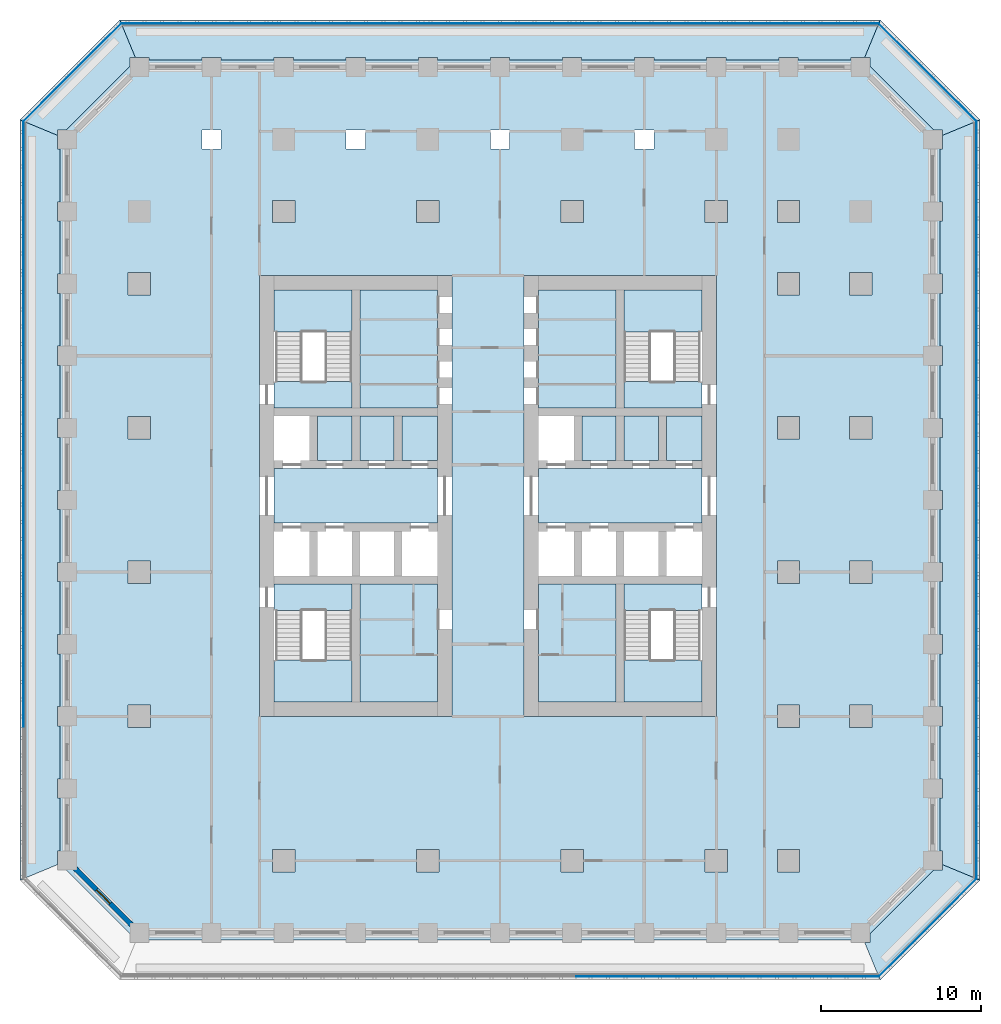
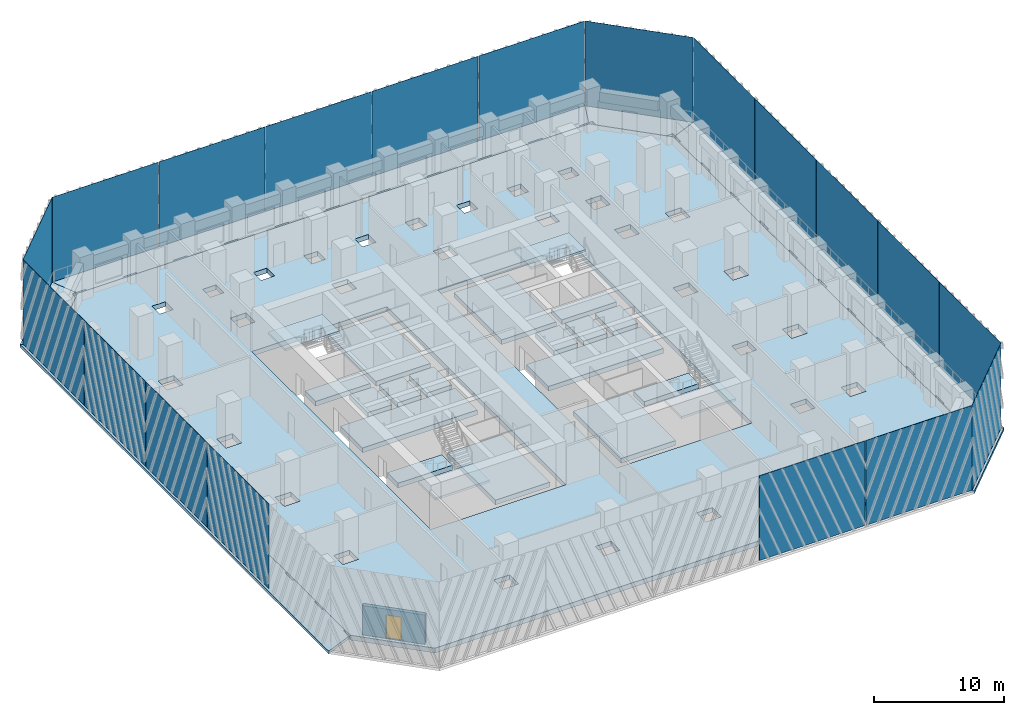
# One storey, part 2 of 19: 27 slabs, 19 plates, 1 door, 1 wall, 1 opening, 4 elements without a shape of their own.
"""IFC4 building model written with IfcOpenShell, lengths in metres."""

from ifc_helpers import new_model, si_unit, direction, frame, frame_2d, origin, origin_2d, place, context, subcontext, project, spatial, polyline, rectangle, outline, extrude, material, layer, layer_set, type_object, element, fill, aggregate, save


model = new_model("IFC4")

# Units and contexts
model_context = context("Model", 3, precision=1e-05, world=origin(), true_north=direction((0.0, 1.0)))
body_context = subcontext(model_context, "Body", "Model", "MODEL_VIEW")
ifc_project = project(units=[si_unit("LENGTHUNIT", "METRE"), si_unit("AREAUNIT", "SQUARE_METRE"), si_unit("VOLUMEUNIT", "CUBIC_METRE"), si_unit("PLANEANGLEUNIT", "RADIAN"), si_unit("MASSUNIT", "GRAM", prefix="KILO")], contexts=[model_context])

# Site, building, storey
site_placement = place(None, origin())
site = spatial("IfcSite", under=ifc_project, at=site_placement, CompositionType="ELEMENT")
building_placement = place(site_placement, origin())
building = spatial("IfcBuilding", under=site, at=building_placement, Name="Corbel Stack Research Tower", CompositionType="ELEMENT")
storey_placement = place(building_placement, frame((0.0, 0.0, 82.0)))
storey = spatial("IfcBuildingStorey", under=building, at=storey_placement, Name="L18", CompositionType="ELEMENT", Elevation=82.0)

# Plates
ifc_material_1 = material(Name="Fritted glass", Category="glass")
ifc_layer_1 = layer(ifc_material_1, 0.02490234375)
ifc_layer_set_1 = layer_set([ifc_layer_1], Name="Fritted glass")
plate_type = type_object("IfcPlateType", Name="Fritted glass panel 25", PredefinedType="SHEET", material=ifc_layer_set_1)
for number, where, z_axis, x_axis, name in (
    (1, (13.95556640625, -25.237548828125, 0.0), (0.0, 0.0, 1.0), (1.0, 0.0, 0.0), "Fritted glass L18 S4"),
    (2, (23.411376953125, -25.237548828125, 0.0), (0.0, 0.0, 1.0), (1.0, 0.0, 0.0), "Fritted glass L18 S5"),
):
    element("IfcPlate", number, at=place(storey_placement, frame(where, z_axis=z_axis, x_axis=x_axis)), inside=storey, type_object=plate_type, Name=name, PredefinedType="SHEET", context=body_context, shape_type="SweptSolid", body=[
        extrude(rectangle(XDim=9.3955078125, YDim=0.02490234375, at=origin_2d()), origin(), (0.0, 0.0, 1.0), 7.949951171875),
    ])
plate_1_placement = place(storey_placement, frame((31.185791015625, -22.185791015625, 0.0), z_axis=(0.0, 0.0, 1.0), x_axis=(0.707106781187, 0.707106781187, 0.0)))
element("IfcPlate", 3, at=plate_1_placement, inside=storey, type_object=plate_type, Name="Fritted glass L18 SE1", PredefinedType="SHEET", context=body_context, shape_type="SweptSolid", body=[
    extrude(rectangle(XDim=8.58203125, YDim=0.02490234375, at=origin_2d()), origin(), (0.0, 0.0, 1.0), 7.949951171875),
])
for number, where, z_axis, x_axis, name in (
    (4, (34.237548828125, -14.411376953125, 0.0), (0.0, 0.0, 1.0), (0.0, 1.0, 0.0), "Fritted glass L18 E1"),
    (5, (34.237548828125, -4.95556640625, 0.0), (0.0, 0.0, 1.0), (0.0, 1.0, 0.0), "Fritted glass L18 E2"),
    (6, (34.237548828125, 4.5, 0.0), (0.0, 0.0, 1.0), (0.0, 1.0, 0.0), "Fritted glass L18 E3"),
    (7, (34.237548828125, 13.95556640625, 0.0), (0.0, 0.0, 1.0), (0.0, 1.0, 0.0), "Fritted glass L18 E4"),
    (8, (34.237548828125, 23.411376953125, 0.0), (0.0, 0.0, 1.0), (0.0, 1.0, 0.0), "Fritted glass L18 E5"),
):
    element("IfcPlate", number, at=place(storey_placement, frame(where, z_axis=z_axis, x_axis=x_axis)), inside=storey, type_object=plate_type, Name=name, PredefinedType="SHEET", context=body_context, shape_type="SweptSolid", body=[
        extrude(rectangle(XDim=9.3955078125, YDim=0.02490234375, at=origin_2d()), origin(), (0.0, 0.0, 1.0), 7.949951171875),
    ])
plate_2_placement = place(storey_placement, frame((31.185791015625, 31.185791015625, 0.0), z_axis=(0.0, 0.0, 1.0), x_axis=(-0.707106781187, 0.707106781187, 0.0)))
element("IfcPlate", 9, at=plate_2_placement, inside=storey, type_object=plate_type, Name="Fritted glass L18 NE1", PredefinedType="SHEET", context=body_context, shape_type="SweptSolid", body=[
    extrude(rectangle(XDim=8.58203125, YDim=0.02490234375, at=origin_2d()), origin(), (0.0, 0.0, 1.0), 7.949951171875),
])
for number, where, z_axis, x_axis, name in (
    (10, (23.411376953125, 34.237548828125, 0.0), (0.0, 0.0, 1.0), (-1.0, 0.0, 0.0), "Fritted glass L18 N1"),
    (11, (13.95556640625, 34.237548828125, 0.0), (0.0, 0.0, 1.0), (-1.0, 0.0, 0.0), "Fritted glass L18 N2"),
    (12, (4.5, 34.237548828125, 0.0), (0.0, 0.0, 1.0), (-1.0, 0.0, 0.0), "Fritted glass L18 N3"),
    (13, (-4.95556640625, 34.237548828125, 0.0), (0.0, 0.0, 1.0), (-1.0, 0.0, 0.0), "Fritted glass L18 N4"),
    (14, (-14.411376953125, 34.237548828125, 0.0), (0.0, 0.0, 1.0), (-1.0, 0.0, 0.0), "Fritted glass L18 N5"),
):
    element("IfcPlate", number, at=place(storey_placement, frame(where, z_axis=z_axis, x_axis=x_axis)), inside=storey, type_object=plate_type, Name=name, PredefinedType="SHEET", context=body_context, shape_type="SweptSolid", body=[
        extrude(rectangle(XDim=9.3955078125, YDim=0.02490234375, at=origin_2d()), origin(), (0.0, 0.0, 1.0), 7.949951171875),
    ])
plate_3_placement = place(storey_placement, frame((-22.185791015625, 31.185791015625, 0.0), z_axis=(0.0, 0.0, 1.0), x_axis=(-0.707106781187, -0.707106781187, 0.0)))
element("IfcPlate", 15, at=plate_3_placement, inside=storey, type_object=plate_type, Name="Fritted glass L18 NW1", PredefinedType="SHEET", context=body_context, shape_type="SweptSolid", body=[
    extrude(rectangle(XDim=8.58203125, YDim=0.02490234375, at=origin_2d()), origin(), (0.0, 0.0, 1.0), 7.949951171875),
])
for number, where, z_axis, x_axis, name in (
    (16, (-25.237548828125, 23.411376953125, 0.0), (0.0, 0.0, 1.0), (0.0, -1.0, 0.0), "Fritted glass L18 W1"),
    (17, (-25.237548828125, 13.95556640625, 0.0), (0.0, 0.0, 1.0), (0.0, -1.0, 0.0), "Fritted glass L18 W2"),
    (18, (-25.237548828125, 4.5, 0.0), (0.0, 0.0, 1.0), (0.0, -1.0, 0.0), "Fritted glass L18 W3"),
    (19, (-25.237548828125, -4.95556640625, 0.0), (0.0, 0.0, 1.0), (0.0, -1.0, 0.0), "Fritted glass L18 W4"),
):
    element("IfcPlate", number, at=place(storey_placement, frame(where, z_axis=z_axis, x_axis=x_axis)), inside=storey, type_object=plate_type, Name=name, PredefinedType="SHEET", context=body_context, shape_type="SweptSolid", body=[
        extrude(rectangle(XDim=9.3955078125, YDim=0.02490234375, at=origin_2d()), origin(), (0.0, 0.0, 1.0), 7.949951171875),
    ])

# Slabs
ifc_material_2 = material(Name="Concrete C45/55", Category="concrete")
ifc_layer_2 = layer(ifc_material_2, 0.25)
ifc_layer_set_2 = layer_set([ifc_layer_2], Name="Concrete C45/55")
slab_type_1 = type_object("IfcSlabType", Name="PT balcony slab 250 C45/55", PredefinedType="FLOOR", material=ifc_layer_set_2)
slab_1_placement = place(storey_placement, frame((0.0, 0.0, -0.25)))
element("IfcSlab", 20, at=slab_1_placement, inside=storey, type_object=slab_type_1, Name="Loggia slab L18 SE", PredefinedType="FLOOR", context=body_context, shape_type="SweptSolid", body=[
    extrude(outline(polyline([(32.10009765625, -18.24853515625), (32.10009765625, -18.60009765625), (31.536376953125, -18.60009765625), (27.60009765625, -22.536376953125), (27.60009765625, -23.10009765625), (27.24853515625, -23.10009765625), (28.221923828125, -25.449951171875), (34.449951171875, -19.221923828125), (32.10009765625, -18.24853515625)])), origin(), (0.0, 0.0, 1.0), 0.25),
])
slab_2_placement = place(storey_placement, frame((0.0, 0.0, -0.25)))
element("IfcSlab", 21, at=slab_2_placement, inside=storey, type_object=slab_type_1, Name="Loggia slab L18 E", PredefinedType="FLOOR", context=body_context, shape_type="SweptSolid", body=[
    extrude(outline(polyline([(32.10009765625, 27.24853515625), (32.10009765625, 26.39990234375), (31.949951171875, 26.39990234375), (31.949951171875, 23.10009765625), (32.10009765625, 23.10009765625), (32.10009765625, 21.89990234375), (31.949951171875, 21.89990234375), (31.949951171875, 18.60009765625), (32.10009765625, 18.60009765625), (32.10009765625, 17.39990234375), (31.949951171875, 17.39990234375), (31.949951171875, 14.10009765625), (32.10009765625, 14.10009765625), (32.10009765625, 12.89990234375), (31.949951171875, 12.89990234375), (31.949951171875, 9.60009765625), (32.10009765625, 9.60009765625), (32.10009765625, 8.39990234375), (31.949951171875, 8.39990234375), (31.949951171875, 5.10009765625), (32.10009765625, 5.10009765625), (32.10009765625, 3.89990234375), (31.949951171875, 3.89990234375), (31.949951171875, 0.60009765625), (32.10009765625, 0.60009765625), (32.10009765625, -0.60009765625), (31.949951171875, -0.60009765625), (31.949951171875, -3.89990234375), (32.10009765625, -3.89990234375), (32.10009765625, -5.10009765625), (31.949951171875, -5.10009765625), (31.949951171875, -8.39990234375), (32.10009765625, -8.39990234375), (32.10009765625, -9.60009765625), (31.949951171875, -9.60009765625), (31.949951171875, -12.89990234375), (32.10009765625, -12.89990234375), (32.10009765625, -14.10009765625), (31.949951171875, -14.10009765625), (31.949951171875, -17.39990234375), (32.10009765625, -17.39990234375), (32.10009765625, -18.24853515625), (34.449951171875, -19.221923828125), (34.449951171875, 28.221923828125), (32.10009765625, 27.24853515625)])), origin(), (0.0, 0.0, 1.0), 0.25),
])
slab_3_placement = place(storey_placement, frame((0.0, 0.0, -0.25)))
element("IfcSlab", 22, at=slab_3_placement, inside=storey, type_object=slab_type_1, Name="Loggia slab L18 NE", PredefinedType="FLOOR", context=body_context, shape_type="SweptSolid", body=[
    extrude(outline(polyline([(27.24853515625, 32.10009765625), (27.60009765625, 32.10009765625), (27.60009765625, 31.536376953125), (31.536376953125, 27.60009765625), (32.10009765625, 27.60009765625), (32.10009765625, 27.24853515625), (34.449951171875, 28.221923828125), (28.221923828125, 34.449951171875), (27.24853515625, 32.10009765625)])), origin(), (0.0, 0.0, 1.0), 0.25),
])
slab_4_placement = place(storey_placement, frame((0.0, 0.0, -0.25)))
element("IfcSlab", 23, at=slab_4_placement, inside=storey, type_object=slab_type_1, Name="Loggia slab L18 N", PredefinedType="FLOOR", context=body_context, shape_type="SweptSolid", body=[
    extrude(outline(polyline([(-18.24853515625, 32.10009765625), (-17.39990234375, 32.10009765625), (-17.39990234375, 31.949951171875), (-14.10009765625, 31.949951171875), (-14.10009765625, 32.10009765625), (-12.89990234375, 32.10009765625), (-12.89990234375, 31.949951171875), (-9.60009765625, 31.949951171875), (-9.60009765625, 32.10009765625), (-8.39990234375, 32.10009765625), (-8.39990234375, 31.949951171875), (-5.10009765625, 31.949951171875), (-5.10009765625, 32.10009765625), (-3.89990234375, 32.10009765625), (-3.89990234375, 31.949951171875), (-0.60009765625, 31.949951171875), (-0.60009765625, 32.10009765625), (0.60009765625, 32.10009765625), (0.60009765625, 31.949951171875), (3.89990234375, 31.949951171875), (3.89990234375, 32.10009765625), (5.10009765625, 32.10009765625), (5.10009765625, 31.949951171875), (8.39990234375, 31.949951171875), (8.39990234375, 32.10009765625), (9.60009765625, 32.10009765625), (9.60009765625, 31.949951171875), (12.89990234375, 31.949951171875), (12.89990234375, 32.10009765625), (14.10009765625, 32.10009765625), (14.10009765625, 31.949951171875), (17.39990234375, 31.949951171875), (17.39990234375, 32.10009765625), (18.60009765625, 32.10009765625), (18.60009765625, 31.949951171875), (21.89990234375, 31.949951171875), (21.89990234375, 32.10009765625), (23.10009765625, 32.10009765625), (23.10009765625, 31.949951171875), (26.39990234375, 31.949951171875), (26.39990234375, 32.10009765625), (27.24853515625, 32.10009765625), (28.221923828125, 34.449951171875), (-19.221923828125, 34.449951171875), (-18.24853515625, 32.10009765625)])), origin(), (0.0, 0.0, 1.0), 0.25),
])
slab_5_placement = place(storey_placement, frame((0.0, 0.0, -0.25)))
element("IfcSlab", 24, at=slab_5_placement, inside=storey, type_object=slab_type_1, Name="Loggia slab L18 NW", PredefinedType="FLOOR", context=body_context, shape_type="SweptSolid", body=[
    extrude(outline(polyline([(-23.10009765625, 27.24853515625), (-23.10009765625, 27.60009765625), (-22.536376953125, 27.60009765625), (-18.60009765625, 31.536376953125), (-18.60009765625, 32.10009765625), (-18.24853515625, 32.10009765625), (-19.221923828125, 34.449951171875), (-25.449951171875, 28.221923828125), (-23.10009765625, 27.24853515625)])), origin(), (0.0, 0.0, 1.0), 0.25),
])
slab_6_placement = place(storey_placement, frame((0.0, 0.0, -0.25)))
element("IfcSlab", 25, at=slab_6_placement, inside=storey, type_object=slab_type_1, Name="Loggia slab L18 W", PredefinedType="FLOOR", context=body_context, shape_type="SweptSolid", body=[
    extrude(outline(polyline([(-23.10009765625, -18.24853515625), (-23.10009765625, -17.39990234375), (-22.949951171875, -17.39990234375), (-22.949951171875, -14.10009765625), (-23.10009765625, -14.10009765625), (-23.10009765625, -12.89990234375), (-22.949951171875, -12.89990234375), (-22.949951171875, -9.60009765625), (-23.10009765625, -9.60009765625), (-23.10009765625, -8.39990234375), (-22.949951171875, -8.39990234375), (-22.949951171875, -5.10009765625), (-23.10009765625, -5.10009765625), (-23.10009765625, -3.89990234375), (-22.949951171875, -3.89990234375), (-22.949951171875, -0.60009765625), (-23.10009765625, -0.60009765625), (-23.10009765625, 0.60009765625), (-22.949951171875, 0.60009765625), (-22.949951171875, 3.89990234375), (-23.10009765625, 3.89990234375), (-23.10009765625, 5.10009765625), (-22.949951171875, 5.10009765625), (-22.949951171875, 8.39990234375), (-23.10009765625, 8.39990234375), (-23.10009765625, 9.60009765625), (-22.949951171875, 9.60009765625), (-22.949951171875, 12.89990234375), (-23.10009765625, 12.89990234375), (-23.10009765625, 14.10009765625), (-22.949951171875, 14.10009765625), (-22.949951171875, 17.39990234375), (-23.10009765625, 17.39990234375), (-23.10009765625, 18.60009765625), (-22.949951171875, 18.60009765625), (-22.949951171875, 21.89990234375), (-23.10009765625, 21.89990234375), (-23.10009765625, 23.10009765625), (-22.949951171875, 23.10009765625), (-22.949951171875, 26.39990234375), (-23.10009765625, 26.39990234375), (-23.10009765625, 27.24853515625), (-25.449951171875, 28.221923828125), (-25.449951171875, -19.221923828125), (-23.10009765625, -18.24853515625)])), origin(), (0.0, 0.0, 1.0), 0.25),
])
ifc_material_3 = material(Name="Concrete C45/55", Category="concrete")
ifc_layer_3 = layer(ifc_material_3, 0.449951171875)
ifc_layer_set_3 = layer_set([ifc_layer_3], Name="Concrete C45/55")
slab_type_2 = type_object("IfcSlabType", Name="PT-450", PredefinedType="FLOOR", material=ifc_layer_set_3)
slab_7_placement = place(storey_placement, frame((0.0, 0.0, -0.449951171875)))
element("IfcSlab", 26, at=slab_7_placement, inside=storey, type_object=slab_type_2, Name="Floor slab L18", PredefinedType="FLOOR", context=body_context, shape_type="SweptSolid", body=[
    extrude(outline(polyline([(-18.186279296875, -22.949951171875), (27.186279296875, -22.949951171875), (31.949951171875, -18.186279296875), (31.949951171875, 27.186279296875), (27.186279296875, 31.949951171875), (-18.186279296875, 31.949951171875), (-22.949951171875, 27.186279296875), (-22.949951171875, -18.186279296875), (-18.186279296875, -22.949951171875)]), holes=[polyline([(26.300048828125, 17.300048828125), (26.300048828125, 18.699951171875), (27.699951171875, 18.699951171875), (27.699951171875, 17.300048828125), (26.300048828125, 17.300048828125)]), polyline([(26.300048828125, -9.699951171875), (26.300048828125, -8.300048828125), (27.699951171875, -8.300048828125), (27.699951171875, -9.699951171875), (26.300048828125, -9.699951171875)]), polyline([(26.300048828125, -0.699951171875), (26.300048828125, 0.699951171875), (27.699951171875, 0.699951171875), (27.699951171875, -0.699951171875), (26.300048828125, -0.699951171875)]), polyline([(26.300048828125, 8.300048828125), (26.300048828125, 9.699951171875), (27.699951171875, 9.699951171875), (27.699951171875, 8.300048828125), (26.300048828125, 8.300048828125)]), polyline([(21.800048828125, 21.800048828125), (21.800048828125, 23.199951171875), (23.199951171875, 23.199951171875), (23.199951171875, 21.800048828125), (21.800048828125, 21.800048828125)]), polyline([(21.800048828125, 17.300048828125), (21.800048828125, 18.699951171875), (23.199951171875, 18.699951171875), (23.199951171875, 17.300048828125), (21.800048828125, 17.300048828125)]), polyline([(21.800048828125, 8.300048828125), (21.800048828125, 9.699951171875), (23.199951171875, 9.699951171875), (23.199951171875, 8.300048828125), (21.800048828125, 8.300048828125)]), polyline([(21.800048828125, -0.699951171875), (21.800048828125, 0.699951171875), (23.199951171875, 0.699951171875), (23.199951171875, -0.699951171875), (21.800048828125, -0.699951171875)]), polyline([(21.800048828125, -9.699951171875), (21.800048828125, -8.300048828125), (23.199951171875, -8.300048828125), (23.199951171875, -9.699951171875), (21.800048828125, -9.699951171875)]), polyline([(21.800048828125, -18.699951171875), (21.800048828125, -17.300048828125), (23.199951171875, -17.300048828125), (23.199951171875, -18.699951171875), (21.800048828125, -18.699951171875)]), polyline([(21.89990234375, 27.60009765625), (23.10009765625, 27.60009765625), (23.10009765625, 26.39990234375), (21.89990234375, 26.39990234375), (21.89990234375, 27.60009765625)]), polyline([(17.300048828125, 21.800048828125), (17.300048828125, 23.199951171875), (18.699951171875, 23.199951171875), (18.699951171875, 21.800048828125), (17.300048828125, 21.800048828125)]), polyline([(17.300048828125, -18.699951171875), (17.300048828125, -17.300048828125), (18.699951171875, -17.300048828125), (18.699951171875, -18.699951171875), (17.300048828125, -18.699951171875)]), polyline([(17.39990234375, 27.60009765625), (18.60009765625, 27.60009765625), (18.60009765625, 26.39990234375), (17.39990234375, 26.39990234375), (17.39990234375, 27.60009765625)]), polyline([(6.0, -9.0), (6.0, 18.5), (18.0, 18.5), (18.0, -9.0), (6.0, -9.0)]), polyline([(12.89990234375, 26.39990234375), (12.89990234375, 27.60009765625), (14.10009765625, 27.60009765625), (14.10009765625, 26.39990234375), (12.89990234375, 26.39990234375)]), polyline([(8.300048828125, 21.800048828125), (8.300048828125, 23.199951171875), (9.699951171875, 23.199951171875), (9.699951171875, 21.800048828125), (8.300048828125, 21.800048828125)]), polyline([(8.300048828125, -18.699951171875), (8.300048828125, -17.300048828125), (9.699951171875, -17.300048828125), (9.699951171875, -18.699951171875), (8.300048828125, -18.699951171875)]), polyline([(8.39990234375, 26.39990234375), (8.39990234375, 27.60009765625), (9.60009765625, 27.60009765625), (9.60009765625, 26.39990234375), (8.39990234375, 26.39990234375)]), polyline([(3.89990234375, 26.39990234375), (3.89990234375, 27.60009765625), (5.10009765625, 27.60009765625), (5.10009765625, 26.39990234375), (3.89990234375, 26.39990234375)]), polyline([(-10.5, -9.0), (-10.5, 18.5), (1.5, 18.5), (1.5, -9.0), (-10.5, -9.0)]), polyline([(-0.699951171875, 21.800048828125), (-0.699951171875, 23.199951171875), (0.699951171875, 23.199951171875), (0.699951171875, 21.800048828125), (-0.699951171875, 21.800048828125)]), polyline([(-0.699951171875, -18.699951171875), (-0.699951171875, -17.300048828125), (0.699951171875, -17.300048828125), (0.699951171875, -18.699951171875), (-0.699951171875, -18.699951171875)]), polyline([(-0.60009765625, 26.39990234375), (-0.60009765625, 27.60009765625), (0.60009765625, 27.60009765625), (0.60009765625, 26.39990234375), (-0.60009765625, 26.39990234375)]), polyline([(-5.10009765625, 26.39990234375), (-5.10009765625, 27.60009765625), (-3.89990234375, 27.60009765625), (-3.89990234375, 26.39990234375), (-5.10009765625, 26.39990234375)]), polyline([(-9.699951171875, 21.800048828125), (-9.699951171875, 23.199951171875), (-8.300048828125, 23.199951171875), (-8.300048828125, 21.800048828125), (-9.699951171875, 21.800048828125)]), polyline([(-9.699951171875, -18.699951171875), (-9.699951171875, -17.300048828125), (-8.300048828125, -17.300048828125), (-8.300048828125, -18.699951171875), (-9.699951171875, -18.699951171875)]), polyline([(-9.60009765625, 26.39990234375), (-9.60009765625, 27.60009765625), (-8.39990234375, 27.60009765625), (-8.39990234375, 26.39990234375), (-9.60009765625, 26.39990234375)]), polyline([(-14.10009765625, 26.39990234375), (-14.10009765625, 27.60009765625), (-12.89990234375, 27.60009765625), (-12.89990234375, 26.39990234375), (-14.10009765625, 26.39990234375)]), polyline([(-18.699951171875, 17.300048828125), (-18.699951171875, 18.699951171875), (-17.300048828125, 18.699951171875), (-17.300048828125, 17.300048828125), (-18.699951171875, 17.300048828125)]), polyline([(-18.699951171875, 8.300048828125), (-18.699951171875, 9.699951171875), (-17.300048828125, 9.699951171875), (-17.300048828125, 8.300048828125), (-18.699951171875, 8.300048828125)]), polyline([(-18.699951171875, -0.699951171875), (-18.699951171875, 0.699951171875), (-17.300048828125, 0.699951171875), (-17.300048828125, -0.699951171875), (-18.699951171875, -0.699951171875)]), polyline([(-18.699951171875, -9.699951171875), (-18.699951171875, -8.300048828125), (-17.300048828125, -8.300048828125), (-17.300048828125, -9.699951171875), (-18.699951171875, -9.699951171875)])]), origin(), (0.0, 0.0, 1.0), 0.449951171875),
])
slab_8_placement = place(storey_placement, frame((0.0, 0.0, -0.449951171875)))
element("IfcSlab", 27, at=slab_8_placement, inside=storey, type_object=slab_type_2, Name="West core floor L18", PredefinedType="FLOOR", context=body_context, shape_type="SweptSolid", body=[
    extrude(outline(polyline([(0.60009765625, 6.449951171875), (-9.60009765625, 6.449951171875), (-9.60009765625, 3.050048828125), (0.60009765625, 3.050048828125), (0.60009765625, 6.449951171875)])), origin(), (0.0, 0.0, 1.0), 0.449951171875),
])
slab_9_placement = place(storey_placement, frame((0.0, 0.0, -0.449951171875)))
element("IfcSlab", 28, at=slab_9_placement, inside=storey, type_object=slab_type_2, Name="West core floor L18", PredefinedType="FLOOR", context=body_context, shape_type="SweptSolid", body=[
    extrude(outline(polyline([(-6.875, 6.949951171875), (-4.75, 6.949951171875), (-4.75, 9.75), (-6.875, 9.75), (-6.875, 6.949951171875)])), origin(), (0.0, 0.0, 1.0), 0.449951171875),
])
slab_10_placement = place(storey_placement, frame((0.0, 0.0, -0.449951171875)))
element("IfcSlab", 29, at=slab_10_placement, inside=storey, type_object=slab_type_2, Name="West core floor L18", PredefinedType="FLOOR", context=body_context, shape_type="SweptSolid", body=[
    extrude(outline(polyline([(0.60009765625, -8.10009765625), (0.60009765625, -0.75), (-4.25, -0.75), (-4.25, -8.10009765625), (0.60009765625, -8.10009765625)])), origin(), (0.0, 0.0, 1.0), 0.449951171875),
])
slab_11_placement = place(storey_placement, frame((0.0, 0.0, -0.449951171875)))
element("IfcSlab", 30, at=slab_11_placement, inside=storey, type_object=slab_type_2, Name="West core floor L18", PredefinedType="FLOOR", context=body_context, shape_type="SweptSolid", body=[
    extrude(outline(polyline([(-2.125, 6.949951171875), (-2.125, 9.75), (-4.25, 9.75), (-4.25, 6.949951171875), (-2.125, 6.949951171875)])), origin(), (0.0, 0.0, 1.0), 0.449951171875),
])
slab_12_placement = place(storey_placement, frame((0.0, 0.0, -0.449951171875)))
element("IfcSlab", 31, at=slab_12_placement, inside=storey, type_object=slab_type_2, Name="West core floor L18", PredefinedType="FLOOR", context=body_context, shape_type="SweptSolid", body=[
    extrude(outline(polyline([(0.60009765625, 17.60009765625), (-4.25, 17.60009765625), (-4.25, 10.25), (0.60009765625, 10.25), (0.60009765625, 17.60009765625)])), origin(), (0.0, 0.0, 1.0), 0.449951171875),
])
slab_13_placement = place(storey_placement, frame((0.0, 0.0, -0.449951171875)))
element("IfcSlab", 32, at=slab_13_placement, inside=storey, type_object=slab_type_2, Name="West core floor L18", PredefinedType="FLOOR", context=body_context, shape_type="SweptSolid", body=[
    extrude(outline(polyline([(0.60009765625, 9.75), (-1.625, 9.75), (-1.625, 6.949951171875), (0.60009765625, 6.949951171875), (0.60009765625, 9.75)])), origin(), (0.0, 0.0, 1.0), 0.449951171875),
])
slab_14_placement = place(storey_placement, frame((0.0, 0.0, -0.449951171875)))
element("IfcSlab", 33, at=slab_14_placement, inside=storey, type_object=slab_type_2, Name="East core floor L18", PredefinedType="FLOOR", context=body_context, shape_type="SweptSolid", body=[
    extrude(outline(polyline([(11.75, -0.75), (6.89990234375, -0.75), (6.89990234375, -8.10009765625), (11.75, -8.10009765625), (11.75, -0.75)])), origin(), (0.0, 0.0, 1.0), 0.449951171875),
])
slab_15_placement = place(storey_placement, frame((0.0, 0.0, -0.449951171875)))
element("IfcSlab", 34, at=slab_15_placement, inside=storey, type_object=slab_type_2, Name="East core floor L18", PredefinedType="FLOOR", context=body_context, shape_type="SweptSolid", body=[
    extrude(outline(polyline([(6.89990234375, 6.449951171875), (6.89990234375, 3.050048828125), (17.10009765625, 3.050048828125), (17.10009765625, 6.449951171875), (6.89990234375, 6.449951171875)])), origin(), (0.0, 0.0, 1.0), 0.449951171875),
])
slab_16_placement = place(storey_placement, frame((0.0, 0.0, -0.449951171875)))
element("IfcSlab", 35, at=slab_16_placement, inside=storey, type_object=slab_type_2, Name="East core floor L18", PredefinedType="FLOOR", context=body_context, shape_type="SweptSolid", body=[
    extrude(outline(polyline([(6.89990234375, 17.60009765625), (6.89990234375, 10.25), (11.75, 10.25), (11.75, 17.60009765625), (6.89990234375, 17.60009765625)])), origin(), (0.0, 0.0, 1.0), 0.449951171875),
])
slab_17_placement = place(storey_placement, frame((0.0, 0.0, -0.449951171875)))
element("IfcSlab", 36, at=slab_17_placement, inside=storey, type_object=slab_type_2, Name="East core floor L18", PredefinedType="FLOOR", context=body_context, shape_type="SweptSolid", body=[
    extrude(outline(polyline([(9.625, 6.949951171875), (11.75, 6.949951171875), (11.75, 9.75), (9.625, 9.75), (9.625, 6.949951171875)])), origin(), (0.0, 0.0, 1.0), 0.449951171875),
])
slab_18_placement = place(storey_placement, frame((0.0, 0.0, -0.449951171875)))
element("IfcSlab", 37, at=slab_18_placement, inside=storey, type_object=slab_type_2, Name="East core floor L18", PredefinedType="FLOOR", context=body_context, shape_type="SweptSolid", body=[
    extrude(outline(polyline([(14.375, 6.949951171875), (14.375, 9.75), (12.25, 9.75), (12.25, 6.949951171875), (14.375, 6.949951171875)])), origin(), (0.0, 0.0, 1.0), 0.449951171875),
])
slab_19_placement = place(storey_placement, frame((0.0, 0.0, -0.449951171875)))
element("IfcSlab", 38, at=slab_19_placement, inside=storey, type_object=slab_type_2, Name="East core floor L18", PredefinedType="FLOOR", context=body_context, shape_type="SweptSolid", body=[
    extrude(outline(polyline([(17.10009765625, 6.949951171875), (17.10009765625, 9.75), (14.875, 9.75), (14.875, 6.949951171875), (17.10009765625, 6.949951171875)])), origin(), (0.0, 0.0, 1.0), 0.449951171875),
])
slab_20_placement = place(storey_placement, frame((0.0, 0.0, -0.449951171875)))
element("IfcSlab", 39, at=slab_20_placement, inside=storey, type_object=slab_type_2, Name="Stair floor landing ST-W1", PredefinedType="FLOOR", context=body_context, shape_type="SweptSolid", body=[
    extrude(outline(polyline([(-9.60009765625, -2.39990234375), (-4.75, -2.39990234375), (-4.75, -0.75), (-9.60009765625, -0.75), (-9.60009765625, -2.39990234375)])), origin(), (0.0, 0.0, 1.0), 0.449951171875),
])
slab_21_placement = place(storey_placement, frame((0.0, 0.0, -0.449951171875)))
element("IfcSlab", 40, at=slab_21_placement, inside=storey, type_object=slab_type_2, Name="Stair floor landing ST-W2", PredefinedType="FLOOR", context=body_context, shape_type="SweptSolid", body=[
    extrude(outline(polyline([(-9.60009765625, 10.25), (-4.75, 10.25), (-4.75, 11.89990234375), (-9.60009765625, 11.89990234375), (-9.60009765625, 10.25)])), origin(), (0.0, 0.0, 1.0), 0.449951171875),
])
slab_22_placement = place(storey_placement, frame((0.0, 0.0, -0.449951171875)))
element("IfcSlab", 41, at=slab_22_placement, inside=storey, type_object=slab_type_2, Name="Stair floor landing ST-E1", PredefinedType="FLOOR", context=body_context, shape_type="SweptSolid", body=[
    extrude(outline(polyline([(12.25, -2.39990234375), (17.10009765625, -2.39990234375), (17.10009765625, -0.75), (12.25, -0.75), (12.25, -2.39990234375)])), origin(), (0.0, 0.0, 1.0), 0.449951171875),
])
slab_23_placement = place(storey_placement, frame((0.0, 0.0, -0.449951171875)))
element("IfcSlab", 42, at=slab_23_placement, inside=storey, type_object=slab_type_2, Name="Stair floor landing ST-E2", PredefinedType="FLOOR", context=body_context, shape_type="SweptSolid", body=[
    extrude(outline(polyline([(12.25, 10.25), (17.10009765625, 10.25), (17.10009765625, 11.89990234375), (12.25, 11.89990234375), (12.25, 10.25)])), origin(), (0.0, 0.0, 1.0), 0.449951171875),
])

# Stair, slab
ifc_material_4 = material(Name="Concrete C40/50", Category="concrete")
stair_type = type_object("IfcStairType", Name="Exit stair 24 risers", PredefinedType="HALF_TURN_STAIR", material=ifc_material_4)
stair_1_placement = place(storey_placement, origin())
stair_1 = element("IfcStair", 43, at=stair_1_placement, inside=storey, type_object=stair_type, Name="L18 Exit stair ST-W1", PredefinedType="HALF_TURN_STAIR")
ifc_material_5 = material(Name="Concrete C40/50", Category="concrete")
ifc_layer_4 = layer(ifc_material_5, 0.199951171875)
ifc_layer_set_4 = layer_set([ifc_layer_4], Name="Concrete C40/50")
slab_type_3 = type_object("IfcSlabType", Name="Stair landing 200 C40/50", PredefinedType="LANDING", material=ifc_layer_set_4)
slab_24_placement = place(storey_placement, frame((0.0, 0.0, 1.85009765625)))
slab_24 = element("IfcSlab", 44, at=slab_24_placement, type_object=slab_type_3, Name="ST-W1 landing 1", PredefinedType="LANDING", context=body_context, shape_type="SweptSolid", body=[
    extrude(outline(polyline([(-9.60009765625, -8.10009765625), (-9.60009765625, -5.47998046875), (-4.75, -5.47998046875), (-4.75, -8.10009765625), (-9.60009765625, -8.10009765625)])), origin(), (0.0, 0.0, 1.0), 0.199951171875),
])
aggregate(stair_1, [slab_24])

stair_2_placement = place(storey_placement, origin())
stair_2 = element("IfcStair", 45, at=stair_2_placement, inside=storey, type_object=stair_type, Name="L18 Exit stair ST-W2", PredefinedType="HALF_TURN_STAIR")
slab_25_placement = place(storey_placement, frame((0.0, 0.0, 1.85009765625)))
slab_25 = element("IfcSlab", 46, at=slab_25_placement, type_object=slab_type_3, Name="ST-W2 landing 1", PredefinedType="LANDING", context=body_context, shape_type="SweptSolid", body=[
    extrude(outline(polyline([(-9.60009765625, 14.97998046875), (-9.60009765625, 17.60009765625), (-4.75, 17.60009765625), (-4.75, 14.97998046875), (-9.60009765625, 14.97998046875)])), origin(), (0.0, 0.0, 1.0), 0.199951171875),
])
aggregate(stair_2, [slab_25])

stair_3_placement = place(storey_placement, origin())
stair_3 = element("IfcStair", 47, at=stair_3_placement, inside=storey, type_object=stair_type, Name="L18 Exit stair ST-E1", PredefinedType="HALF_TURN_STAIR")
slab_26_placement = place(storey_placement, frame((0.0, 0.0, 1.85009765625)))
slab_26 = element("IfcSlab", 48, at=slab_26_placement, type_object=slab_type_3, Name="ST-E1 landing 1", PredefinedType="LANDING", context=body_context, shape_type="SweptSolid", body=[
    extrude(outline(polyline([(12.25, -8.10009765625), (12.25, -5.47998046875), (17.10009765625, -5.47998046875), (17.10009765625, -8.10009765625), (12.25, -8.10009765625)])), origin(), (0.0, 0.0, 1.0), 0.199951171875),
])
aggregate(stair_3, [slab_26])

stair_4_placement = place(storey_placement, origin())
stair_4 = element("IfcStair", 49, at=stair_4_placement, inside=storey, type_object=stair_type, Name="L18 Exit stair ST-E2", PredefinedType="HALF_TURN_STAIR")
slab_27_placement = place(storey_placement, frame((0.0, 0.0, 1.85009765625)))
slab_27 = element("IfcSlab", 50, at=slab_27_placement, type_object=slab_type_3, Name="ST-E2 landing 1", PredefinedType="LANDING", context=body_context, shape_type="SweptSolid", body=[
    extrude(outline(polyline([(12.25, 14.97998046875), (12.25, 17.60009765625), (17.10009765625, 17.60009765625), (17.10009765625, 14.97998046875), (12.25, 14.97998046875)])), origin(), (0.0, 0.0, 1.0), 0.199951171875),
])
aggregate(stair_4, [slab_27])

# Wall, opening, door
ifc_material_6 = material(Name="Concrete C45/55", Category="concrete")
ifc_layer_5 = layer(ifc_material_6, 0.300048828125)
ifc_layer_set_5 = layer_set([ifc_layer_5], Name="Concrete C45/55")
wall_type = type_object("IfcWallType", Name="Terracotta-faced concrete wall 300", PredefinedType="SOLIDWALL", material=ifc_layer_set_5)
wall_placement = place(storey_placement, frame((-18.493896484375, -22.006103515625, 0.0), z_axis=(0.0, 0.0, 1.0), x_axis=(-0.707106781187, 0.707106781187, 0.0)))
wall = element("IfcWall", 51, at=wall_placement, inside=storey, type_object=wall_type, Name="Facade wall L18 SW01", PredefinedType="SOLIDWALL", context=body_context, shape_type="SweptSolid", body=[
    extrude(rectangle(XDim=4.967041015625, YDim=0.300048828125, at=frame_2d((2.4833984375, 0.0))), origin(), (0.0, 0.0, 1.0), 2.75),
])
opening_placement = place(wall_placement, frame((1.883544921875, 0.0, 0.0)))
opening = element("IfcOpeningElement", 52, at=opening_placement, cuts=wall, Name="Opening L18-B12", PredefinedType="OPENING", context=body_context, shape_type="SweptSolid", body=[
    extrude(rectangle(XDim=1.199951171875, YDim=2.199951171875, at=frame_2d((0.60009765625, 1.10009765625))), frame((0.0, 0.159912109375, 0.0), z_axis=(0.0, -1.0, 0.0), x_axis=(1.0, 0.0, 0.0)), (0.0, 0.0, 1.0), 0.320068359375),
])
ifc_material_7 = material(Name="Aluminium frame, clear double glazing", Category="aluminium")
door_type = type_object("IfcDoorType", Name="Balcony door BD2 1200 x 2200", OperationType="NOTDEFINED", PredefinedType="DOOR", material=ifc_material_7)
door_placement = place(opening_placement, origin())
door = element("IfcDoor", 53, at=door_placement, inside=storey, type_object=door_type, Name="Balcony door L18-B12", OperationType="SINGLE_SWING_LEFT", OverallHeight=2.199951171875, OverallWidth=1.199951171875, PredefinedType="DOOR", context=body_context, shape_type="SweptSolid", body=[
    extrude(rectangle(XDim=1.199951171875, YDim=2.199951171875, at=frame_2d((0.60009765625, 1.10009765625))), frame((0.0, 0.02490234375, 0.0), z_axis=(0.0, -1.0, 0.0), x_axis=(1.0, 0.0, 0.0)), (0.0, 0.0, 1.0), 0.050048828125),
])
fill(opening, door)

save(model, "model.ifc")
